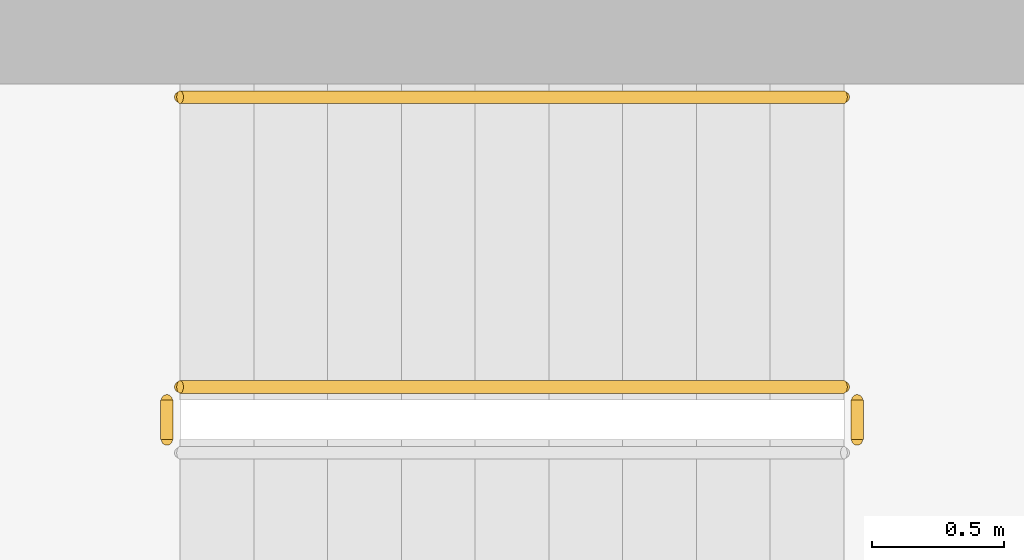
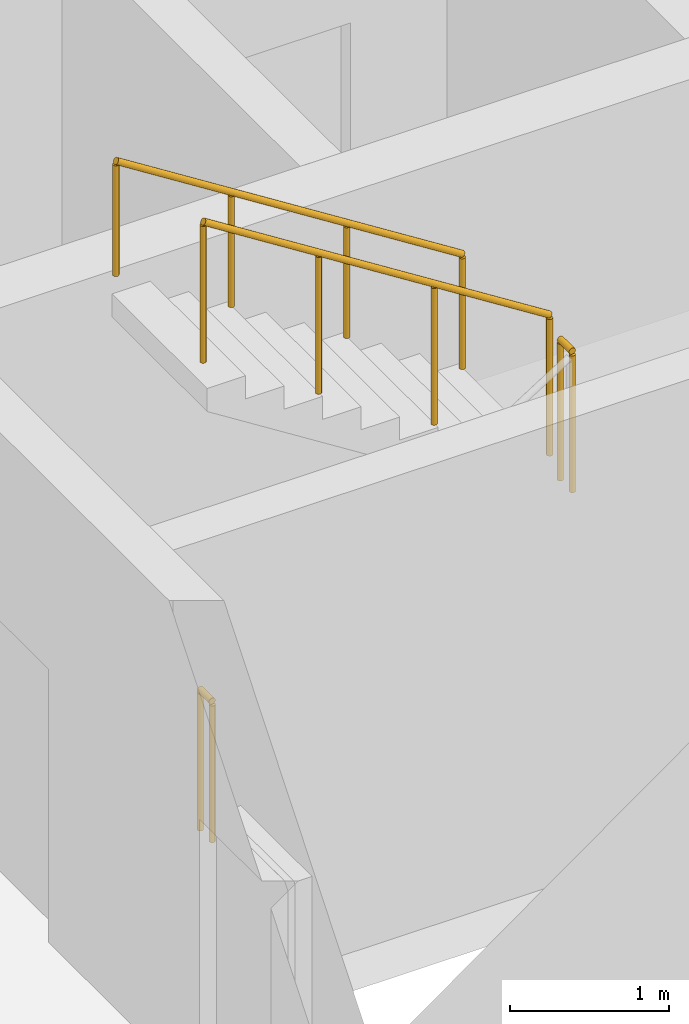
# One storey, part 15 of 17: 4 railings.
"""IFC4 building model written with IfcOpenShell, lengths in metres."""

from ifc_helpers import new_model, si_unit, direction, frame, origin, origin_2d, place, context, subcontext, project, spatial, circle, extrude, material, type_object, element, save


model = new_model("IFC4")

# Units and contexts
model_context = context("Model", 3, precision=1e-05, world=origin(), true_north=direction((0.0, 1.0)))
body_context = subcontext(model_context, "Body", "Model", "MODEL_VIEW")
ifc_project = project(units=[si_unit("LENGTHUNIT", "METRE"), si_unit("AREAUNIT", "SQUARE_METRE"), si_unit("VOLUMEUNIT", "CUBIC_METRE"), si_unit("PLANEANGLEUNIT", "RADIAN"), si_unit("MASSUNIT", "GRAM", prefix="KILO")], contexts=[model_context])

# Site, building, storey
site_placement = place(None, origin())
site = spatial("IfcSite", under=ifc_project, at=site_placement, CompositionType="ELEMENT")
building_placement = place(site_placement, origin())
building = spatial("IfcBuilding", under=site, at=building_placement, Name="Ostrand Prow Hotel Tower", CompositionType="ELEMENT")
storey_placement = place(building_placement, frame((0.0, 0.0, 84.89990234375)))
storey = spatial("IfcBuildingStorey", under=building, at=storey_placement, Name="L19", CompositionType="ELEMENT", Elevation=84.89990234375)

# Railings
ifc_material_1 = material(Name="Painted steel", Category="steel")
railing_type_1 = type_object("IfcRailingType", Name="Stair guard 1100", PredefinedType="GUARDRAIL", material=ifc_material_1)
railing_1_placement = place(storey_placement, frame((59.77001953125, -11.699951171875, 1.775146484375)))
element("IfcRailing", 1, at=railing_1_placement, inside=storey, type_object=railing_type_1, Name="L19 ST2C stair guard 2", PredefinedType="GUARDRAIL", context=body_context, shape_type="SweptSolid", body=[
    extrude(circle(Radius=0.02392578125, at=origin_2d()), frame((0.0, 0.0, 1.076171875), z_axis=(0.0, 1.0, 0.0), x_axis=(-1.0, 0.0, 0.0)), (0.0, 0.0, 1.0), 0.14990234375),
    extrude(circle(Radius=0.02099609375, at=origin_2d()), origin(), (0.0, 0.0, 1.0), 1.052001953125),
    extrude(circle(Radius=0.02099609375, at=origin_2d()), frame((0.0, 0.14990234375, 0.0)), (0.0, 0.0, 1.0), 1.052001953125),
])
railing_2_placement = place(storey_placement, frame((59.719970703125, -11.5, 1.95263671875)))
element("IfcRailing", 2, at=railing_2_placement, inside=storey, type_object=railing_type_1, Name="L19 ST2C stair guard 3", PredefinedType="GUARDRAIL", context=body_context, shape_type="SweptSolid", body=[
    extrude(circle(Radius=0.02392578125, at=origin_2d()), frame((0.0, 0.0, 1.076171875), z_axis=(-0.84460694969, 0.0, 0.535386869969), x_axis=(0.0, -1.0, 0.0)), (0.0, 0.0, 1.0), 2.983642578125),
    extrude(circle(Radius=0.02099609375, at=origin_2d()), origin(), (0.0, 0.0, 1.0), 1.052001953125),
    extrude(circle(Radius=0.02099609375, at=origin_2d()), frame((-0.840087890625, 0.0, 0.532470703125)), (0.0, 0.0, 1.0), 1.052001953125),
    extrude(circle(Radius=0.02099609375, at=origin_2d()), frame((-1.679931640625, 0.0, 1.06494140625)), (0.0, 0.0, 1.0), 1.052001953125),
    extrude(circle(Radius=0.02099609375, at=origin_2d()), frame((-2.52001953125, 0.0, 1.597412109375)), (0.0, 0.0, 1.0), 1.052001953125),
])
railing_3_placement = place(storey_placement, frame((57.14990234375, -11.699951171875, 0.0)))
element("IfcRailing", 3, at=railing_3_placement, inside=storey, type_object=railing_type_1, Name="L19 ST2C stair guard 4", PredefinedType="GUARDRAIL", context=body_context, shape_type="SweptSolid", body=[
    extrude(circle(Radius=0.02392578125, at=origin_2d()), frame((0.0, 0.0, 1.076171875), z_axis=(0.0, 1.0, 0.0), x_axis=(-1.0, 0.0, 0.0)), (0.0, 0.0, 1.0), 0.14990234375),
    extrude(circle(Radius=0.02099609375, at=origin_2d()), origin(), (0.0, 0.0, 1.0), 1.052001953125),
    extrude(circle(Radius=0.02099609375, at=origin_2d()), frame((0.0, 0.14990234375, 0.0)), (0.0, 0.0, 1.0), 1.052001953125),
])
ifc_material_2 = material(Name="Stainless steel", Category="steel")
railing_type_2 = type_object("IfcRailingType", Name="Stair handrail 900", PredefinedType="HANDRAIL", material=ifc_material_2)
railing_4_placement = place(storey_placement, frame((59.719970703125, -10.39990234375, 1.95263671875)))
element("IfcRailing", 4, at=railing_4_placement, inside=storey, type_object=railing_type_2, Name="L19 ST2C stair handrail 2", PredefinedType="HANDRAIL", context=body_context, shape_type="SweptSolid", body=[
    extrude(circle(Radius=0.02392578125, at=origin_2d()), frame((0.0, 0.0, 0.8759765625), z_axis=(-0.84460694969, 0.0, 0.535386869969), x_axis=(0.0, -1.0, 0.0)), (0.0, 0.0, 1.0), 2.983642578125),
    extrude(circle(Radius=0.02099609375, at=origin_2d()), origin(), (0.0, 0.0, 1.0), 0.851806640625),
    extrude(circle(Radius=0.02099609375, at=origin_2d()), frame((-0.840087890625, 0.0, 0.532470703125)), (0.0, 0.0, 1.0), 0.851806640625),
    extrude(circle(Radius=0.02099609375, at=origin_2d()), frame((-1.679931640625, 0.0, 1.06494140625)), (0.0, 0.0, 1.0), 0.851806640625),
    extrude(circle(Radius=0.02099609375, at=origin_2d()), frame((-2.52001953125, 0.0, 1.597412109375)), (0.0, 0.0, 1.0), 0.851806640625),
])

save(model, "model.ifc")
